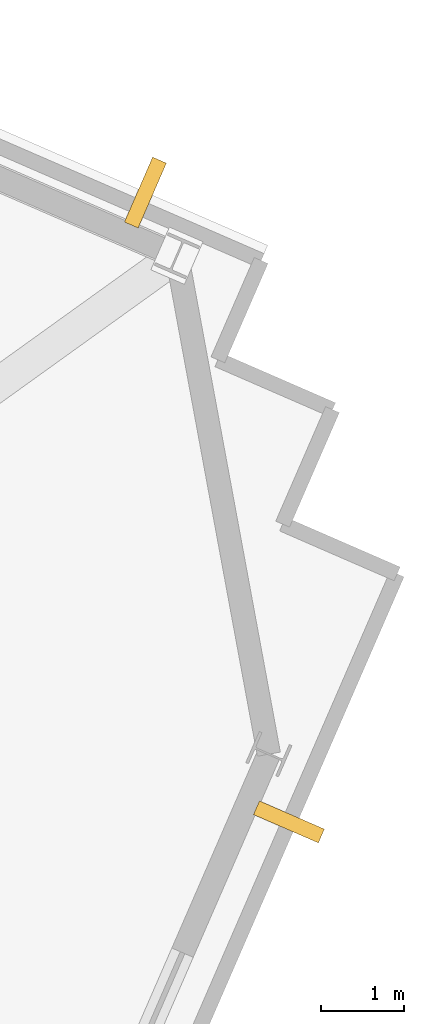
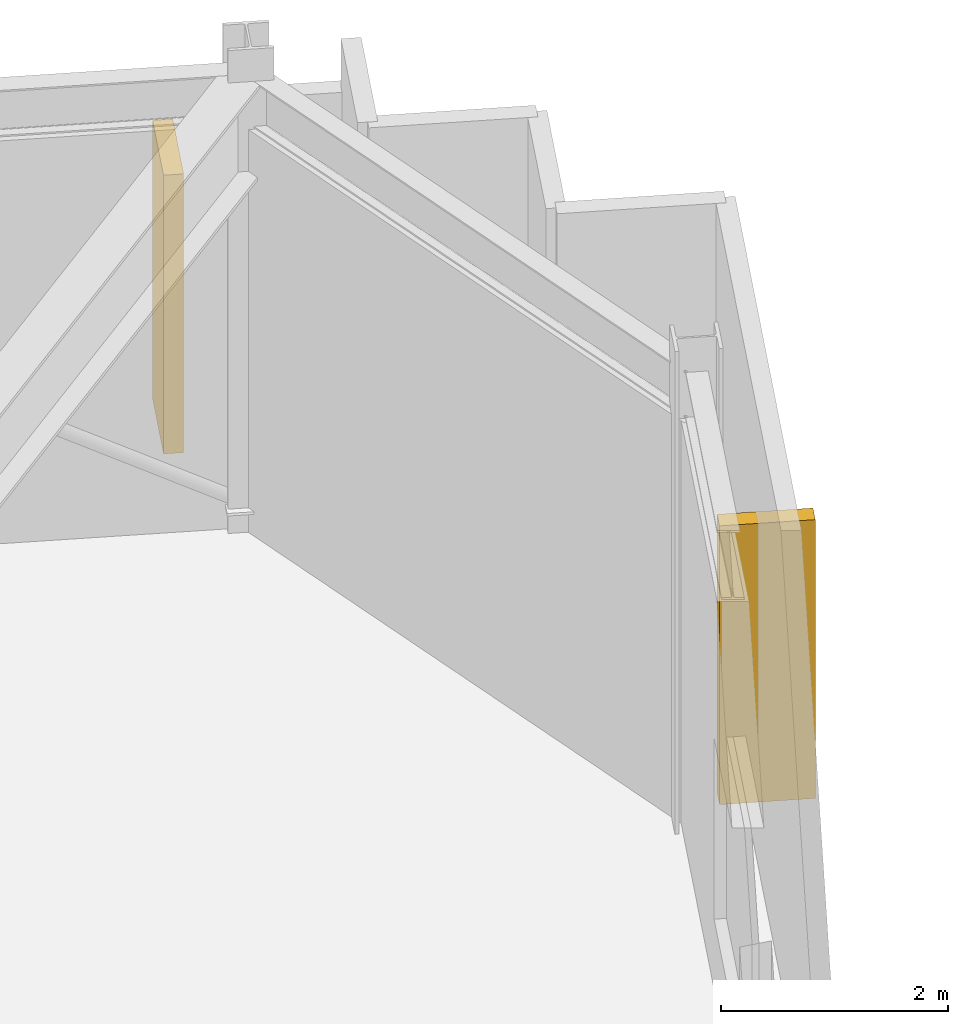
# One storey, part 12 of 12: 2 shading devices.
"""IFC4 building model written with IfcOpenShell, lengths in metres."""

from ifc_helpers import new_model, si_unit, direction, frame, origin, origin_2d, place, context, subcontext, project, spatial, rectangle, extrude, material, type_object, element, save


model = new_model("IFC4")

# Units and contexts
model_context = context("Model", 3, precision=1e-05, world=origin(), true_north=direction((0.0, 1.0)))
body_context = subcontext(model_context, "Body", "Model", "MODEL_VIEW")
ifc_project = project(units=[si_unit("LENGTHUNIT", "METRE"), si_unit("AREAUNIT", "SQUARE_METRE"), si_unit("VOLUMEUNIT", "CUBIC_METRE"), si_unit("PLANEANGLEUNIT", "RADIAN"), si_unit("MASSUNIT", "GRAM", prefix="KILO")], contexts=[model_context])

# Site, building, storey
site_placement = place(None, origin())
site = spatial("IfcSite", under=ifc_project, at=site_placement, CompositionType="ELEMENT")
building_placement = place(site_placement, origin())
building = spatial("IfcBuilding", under=site, at=building_placement, Name="Gaonmaruhae Medical Tower", CompositionType="ELEMENT")
storey_placement = place(building_placement, frame((0.0, 0.0, 342.60009765625)))
storey = spatial("IfcBuildingStorey", under=building, at=storey_placement, Name="L82", CompositionType="ELEMENT", Elevation=342.60009765625)

# Shading devices
ifc_material = material(Name="Pigmented coral precast concrete C45/55", Category="concrete")
shading_device_type = type_object("IfcShadingDeviceType", Name="SD-FIN1 Tower Vertical Coral Precast Shading Fin", PredefinedType="USERDEFINED", material=ifc_material)
for number, where, z_axis, x_axis, name in (
    (1, (58.87060546875, 25.752197265625, 0.66748046875), (0.0, 0.0, 1.0), (-0.398749068925, -0.917060074385, 0.0), "L82 Vertical Coral Precast Shading Fin S05"),
    (2, (57.14697265625, 33.3115234375, 0.66748046875), (0.0, 0.0, 1.0), (0.917060074385, -0.398749068925, 0.0), "L82 Vertical Coral Precast Shading Fin E01B"),
):
    element("IfcShadingDevice", number, at=place(storey_placement, frame(where, z_axis=z_axis, x_axis=x_axis)), inside=storey, type_object=shading_device_type, Name=name, ObjectType="FIN", PredefinedType="USERDEFINED", context=body_context, shape_type="SweptSolid", body=[
        extrude(rectangle(XDim=0.179931640625, YDim=0.85009765625, at=origin_2d()), origin(), (0.0, 0.0, 1.0), 3.0),
    ])

save(model, "model.ifc")
